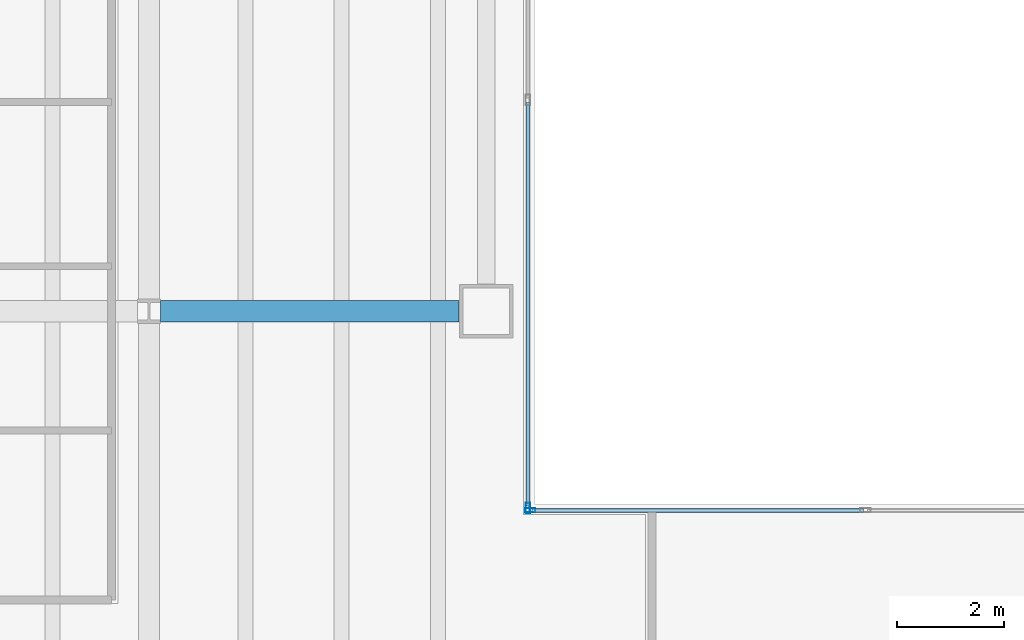
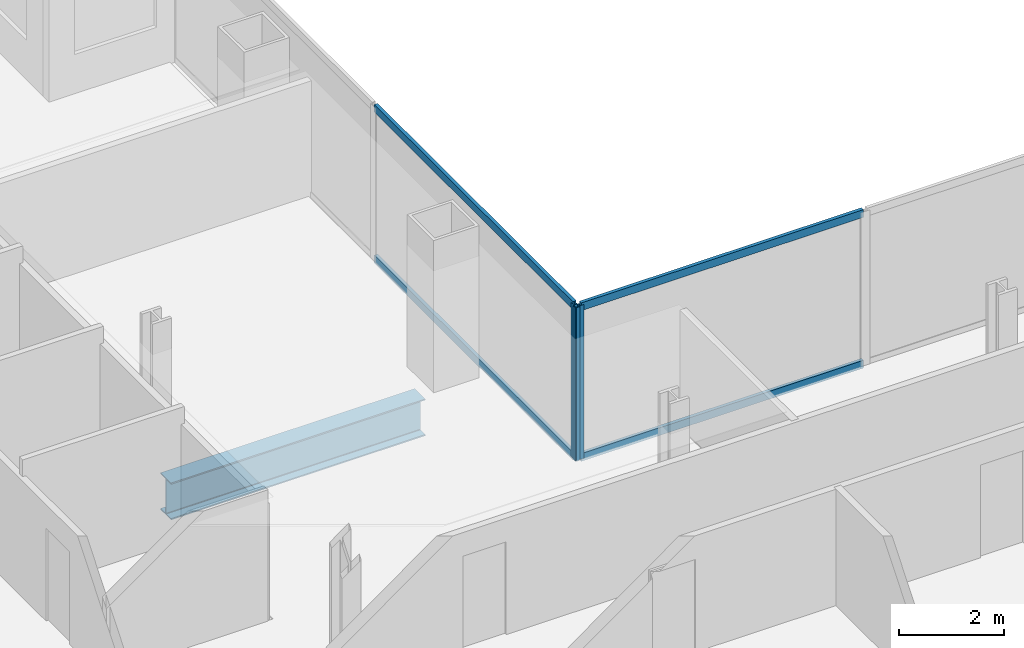
# One storey, part 6 of 23: 6 members, 1 beam, 2 elements without a shape of their own.
"""IFC4 building model written with IfcOpenShell, lengths in metres."""

from ifc_helpers import new_model, si_unit, direction, frame, origin, origin_2d, place, context, subcontext, project, spatial, hollow_rectangle, i_section, extrude, material, material_profile, profile_set, type_object, element, aggregate, save


model = new_model("IFC4")

# Units and contexts
model_context = context("Model", 3, precision=1e-05, world=origin(), true_north=direction((0.0, 1.0)))
body_context = subcontext(model_context, "Body", "Model", "MODEL_VIEW")
ifc_project = project(units=[si_unit("LENGTHUNIT", "METRE"), si_unit("AREAUNIT", "SQUARE_METRE"), si_unit("VOLUMEUNIT", "CUBIC_METRE"), si_unit("PLANEANGLEUNIT", "RADIAN"), si_unit("MASSUNIT", "GRAM", prefix="KILO")], contexts=[model_context])

# Site, building, storey
site_placement = place(None, origin())
site = spatial("IfcSite", under=ifc_project, at=site_placement, CompositionType="ELEMENT")
building_placement = place(site_placement, origin())
building = spatial("IfcBuilding", under=site, at=building_placement, Name="Cobrela Telecom Tower", CompositionType="ELEMENT")
storey_placement = place(building_placement, frame((0.0, 0.0, 50.39990234375)))
storey = spatial("IfcBuildingStorey", under=building, at=storey_placement, Name="L12", CompositionType="ELEMENT", Elevation=50.39990234375)

# Beam
ifc_material_1 = material(Name="Steel ASTM A992 Grade 50", Category="steel")
ifc_material_profile_1 = material_profile(ifc_material_1, i_section(OverallWidth=0.39892578125, OverallDepth=0.85595703125, WebThickness=0.018310546875, FlangeThickness=0.029296875, FilletRadius=0.02001953125, at=origin_2d()), Name="W33X201")
ifc_profile_set_1 = profile_set([ifc_material_profile_1], Name="Steel ASTM A992 Grade 50")
beam_type = type_object("IfcBeamType", Name="BM-GIRD-03", PredefinedType="USERDEFINED", material=ifc_profile_set_1)
beam_placement = place(storey_placement, frame((21.81591796875, 28.800048828125, -0.7080078125), z_axis=(1.0, 0.0, 0.0), x_axis=(0.0, 1.0, 0.0)))
element("IfcBeam", 1, at=beam_placement, inside=storey, type_object=beam_type, Name="L12 Primary Girder X24", ObjectType="GIRDER", PredefinedType="USERDEFINED", context=body_context, shape_type="SweptSolid", body=[
    extrude(i_section(OverallWidth=0.39892578125, OverallDepth=0.85595703125, WebThickness=0.018310546875, FlangeThickness=0.029296875, FilletRadius=0.02001953125, at=origin_2d()), origin(), (0.0, 0.0, 1.0), 5.5791015625),
])

# Curtain wall, member
ifc_material_2 = material(Name="Anodized Bronze Aluminium 6063-T6", Category="aluminium")
curtain_wall_type = type_object("IfcCurtainWallType", Name="CW-SYS-DATA", PredefinedType="USERDEFINED", material=ifc_material_2)
curtain_wall_1_placement = place(storey_placement, origin())
curtain_wall_1 = element("IfcCurtainWall", 2, at=curtain_wall_1_placement, inside=storey, type_object=curtain_wall_type, Name="L12 Unitised Bronze Curtain Wall 10", ObjectType="UNITISED CURTAIN WALL", PredefinedType="USERDEFINED")
ifc_material_profile_2 = material_profile(ifc_material_2, hollow_rectangle(XDim=0.080078125, YDim=0.199951171875, WallThickness=0.00390625, at=origin_2d()), Name="ALU 80x200x4")
ifc_profile_set_2 = profile_set([ifc_material_profile_2], Name="Anodized Bronze Aluminium 6063-T6")
member_type_1 = type_object("IfcMemberType", Name="CW-SYS-DATA-MUL", PredefinedType="MULLION", material=ifc_profile_set_2)
member_1_placement = place(storey_placement, frame((28.679931640625, 25.1201171875, 0.0), z_axis=(0.0, 0.0, 1.0), x_axis=(1.0, 0.0, 0.0)))
member_1 = element("IfcMember", 3, at=member_1_placement, type_object=member_type_1, Name="CW-DATA mullion 3", PredefinedType="MULLION", context=body_context, shape_type="SweptSolid", body=[
    extrude(hollow_rectangle(XDim=0.080078125, YDim=0.199951171875, WallThickness=0.00390625, at=origin_2d()), origin(), (0.0, 0.0, 1.0), 3.570068359375),
])

curtain_wall_2_placement = place(storey_placement, origin())
curtain_wall_2 = element("IfcCurtainWall", 4, at=curtain_wall_2_placement, inside=storey, type_object=curtain_wall_type, Name="L12 Unitised Bronze Curtain Wall 11", ObjectType="UNITISED CURTAIN WALL", PredefinedType="USERDEFINED")
member_2_placement = place(storey_placement, frame((28.719970703125, 25.080078125, 0.0), z_axis=(0.0, 0.0, 1.0), x_axis=(0.0, 1.0, 0.0)))
member_2 = element("IfcMember", 5, at=member_2_placement, type_object=member_type_1, Name="CW-DATA mullion 1", PredefinedType="MULLION", context=body_context, shape_type="SweptSolid", body=[
    extrude(hollow_rectangle(XDim=0.080078125, YDim=0.199951171875, WallThickness=0.00390625, at=origin_2d()), origin(), (0.0, 0.0, 1.0), 3.570068359375),
])

# Member
ifc_material_profile_3 = material_profile(ifc_material_2, hollow_rectangle(XDim=0.074951171875, YDim=0.179931640625, WallThickness=0.00390625, at=origin_2d()), Name="ALU 75x180x4")
ifc_profile_set_3 = profile_set([ifc_material_profile_3], Name="Anodized Bronze Aluminium 6063-T6")
member_type_2 = type_object("IfcMemberType", Name="CW-SYS-DATA-TRN", PredefinedType="USERDEFINED", material=ifc_profile_set_3)
member_3_placement = place(storey_placement, frame((28.679931640625, 32.705078125, 0.03759765625), z_axis=(0.0, -1.0, 0.0), x_axis=(1.0, 0.0, 0.0)))
member_3 = element("IfcMember", 6, at=member_3_placement, type_object=member_type_2, Name="CW-DATA transom 2.1", ObjectType="TRANSOM", PredefinedType="USERDEFINED", context=body_context, shape_type="SweptSolid", body=[
    extrude(hollow_rectangle(XDim=0.074951171875, YDim=0.179931640625, WallThickness=0.00390625, at=origin_2d()), origin(), (0.0, 0.0, 1.0), 7.545166015625),
])

member_4_placement = place(storey_placement, frame((28.679931640625, 32.705078125, 3.53271484375), z_axis=(0.0, -1.0, 0.0), x_axis=(1.0, 0.0, 0.0)))
member_4 = element("IfcMember", 7, at=member_4_placement, type_object=member_type_2, Name="CW-DATA transom 2.2", ObjectType="TRANSOM", PredefinedType="USERDEFINED", context=body_context, shape_type="SweptSolid", body=[
    extrude(hollow_rectangle(XDim=0.074951171875, YDim=0.179931640625, WallThickness=0.00390625, at=origin_2d()), origin(), (0.0, 0.0, 1.0), 7.545166015625),
])

aggregate(curtain_wall_1, [member_1, member_3, member_4])

member_5_placement = place(storey_placement, frame((28.760009765625, 25.080078125, 0.03759765625), z_axis=(1.0, 0.0, 0.0), x_axis=(0.0, 1.0, 0.0)))
member_5 = element("IfcMember", 8, at=member_5_placement, type_object=member_type_2, Name="CW-DATA transom 1.1", ObjectType="TRANSOM", PredefinedType="USERDEFINED", context=body_context, shape_type="SweptSolid", body=[
    extrude(hollow_rectangle(XDim=0.074951171875, YDim=0.179931640625, WallThickness=0.00390625, at=origin_2d()), origin(), (0.0, 0.0, 1.0), 6.18994140625),
])

member_6_placement = place(storey_placement, frame((28.760009765625, 25.080078125, 3.53271484375), z_axis=(1.0, 0.0, 0.0), x_axis=(0.0, 1.0, 0.0)))
member_6 = element("IfcMember", 9, at=member_6_placement, type_object=member_type_2, Name="CW-DATA transom 1.2", ObjectType="TRANSOM", PredefinedType="USERDEFINED", context=body_context, shape_type="SweptSolid", body=[
    extrude(hollow_rectangle(XDim=0.074951171875, YDim=0.179931640625, WallThickness=0.00390625, at=origin_2d()), origin(), (0.0, 0.0, 1.0), 6.18994140625),
])

aggregate(curtain_wall_2, [member_2, member_5, member_6])

save(model, "model.ifc")
